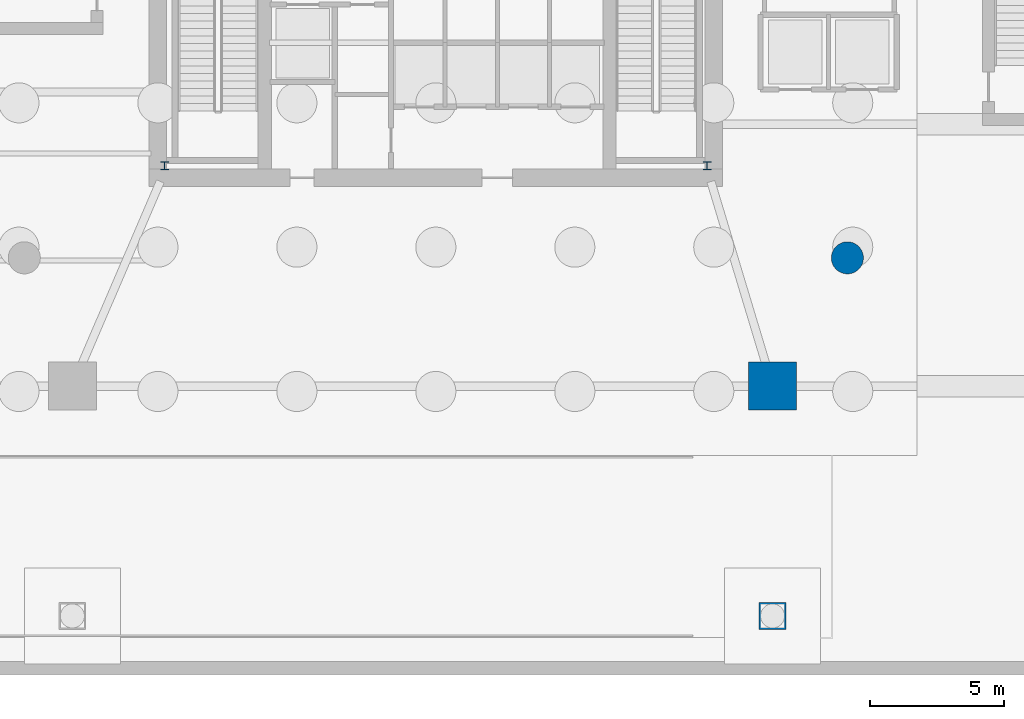
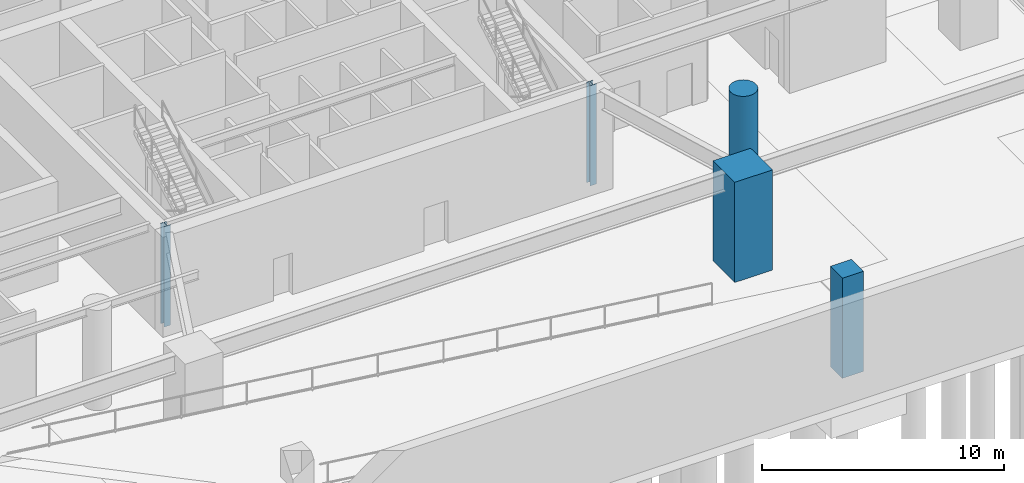
# One storey, part 2 of 11: 5 columns.
"""IFC4 building model written with IfcOpenShell, lengths in metres."""

from ifc_helpers import new_model, si_unit, direction, frame, origin, origin_2d, place, context, subcontext, project, spatial, rectangle, circle, i_section, extrude, material, material_profile, profile_set, type_object, element, save


model = new_model("IFC4")

# Units and contexts
model_context = context("Model", 3, precision=1e-05, world=origin(), true_north=direction((0.0, 1.0)))
body_context = subcontext(model_context, "Body", "Model", "MODEL_VIEW")
ifc_project = project(units=[si_unit("LENGTHUNIT", "METRE"), si_unit("AREAUNIT", "SQUARE_METRE"), si_unit("VOLUMEUNIT", "CUBIC_METRE"), si_unit("PLANEANGLEUNIT", "RADIAN"), si_unit("MASSUNIT", "GRAM", prefix="KILO")], contexts=[model_context])

# Site, building, storey
site_placement = place(None, origin())
site = spatial("IfcSite", under=ifc_project, at=site_placement, CompositionType="ELEMENT")
building_placement = place(site_placement, origin())
building = spatial("IfcBuilding", under=site, at=building_placement, Name="Qarnah Convention Tower", CompositionType="ELEMENT")
storey_placement = place(building_placement, frame((0.0, 0.0, -5.39990234375)))
storey = spatial("IfcBuildingStorey", under=building, at=storey_placement, Name="B1", CompositionType="ELEMENT", Elevation=-5.39990234375)

# Columns
ifc_material_1 = material(Name="Concrete C60/75", Category="concrete")
ifc_material_profile_1 = material_profile(ifc_material_1, circle(Radius=0.60009765625, at=origin_2d()), Name="RC-COL-D1200")
ifc_profile_set_1 = profile_set([ifc_material_profile_1], Name="Concrete C60/75")
column_type_1 = type_object("IfcColumnType", Name="COL-B1-D1200", PredefinedType="COLUMN", material=ifc_profile_set_1)
column_1_placement = place(storey_placement, frame((52.60009765625, 15.60009765625, 0.0), z_axis=(0.0, 0.0, 1.0), x_axis=(1.0, 0.0, 0.0)))
element("IfcColumn", 1, at=column_1_placement, inside=storey, type_object=column_type_1, Name="Basement garage column 02", PredefinedType="COLUMN", context=body_context, shape_type="SweptSolid", body=[
    extrude(circle(Radius=0.60009765625, at=origin_2d()), origin(), (0.0, 0.0, 1.0), 5.0498046875),
])
ifc_material_profile_2 = material_profile(ifc_material_1, rectangle(XDim=1.800048828125, YDim=1.800048828125, at=origin_2d()), Name="RC-COL-1800X1800")
ifc_profile_set_2 = profile_set([ifc_material_profile_2], Name="Concrete C60/75")
column_type_2 = type_object("IfcColumnType", Name="COL-MC1800", PredefinedType="COLUMN", material=ifc_profile_set_2)
column_2_placement = place(storey_placement, frame((49.800048828125, 10.800048828125, 0.0), z_axis=(0.0, 0.0, 1.0), x_axis=(1.0, 0.0, 0.0)))
element("IfcColumn", 2, at=column_2_placement, inside=storey, type_object=column_type_2, Name="B1 plumb column MC-03", PredefinedType="COLUMN", context=body_context, shape_type="SweptSolid", body=[
    extrude(rectangle(XDim=1.800048828125, YDim=1.800048828125, at=origin_2d()), origin(), (0.0, 0.0, 1.0), 5.0498046875),
])
ifc_material_profile_3 = material_profile(ifc_material_1, rectangle(XDim=1.0, YDim=1.0, at=origin_2d()), Name="RC-COL-1000X1000")
ifc_profile_set_3 = profile_set([ifc_material_profile_3], Name="Concrete C60/75")
column_type_3 = type_object("IfcColumnType", Name="COL-Z3-1000", PredefinedType="COLUMN", material=ifc_profile_set_3)
column_3_placement = place(storey_placement, frame((49.800048828125, 2.199951171875, 0.0), z_axis=(0.0, 0.0, 1.0), x_axis=(1.0, 0.0, 0.0)))
element("IfcColumn", 3, at=column_3_placement, inside=storey, type_object=column_type_3, Name="B1 south terrace support column 02", PredefinedType="COLUMN", context=body_context, shape_type="SweptSolid", body=[
    extrude(rectangle(XDim=1.0, YDim=1.0, at=origin_2d()), origin(), (0.0, 0.0, 1.0), 5.0498046875),
])
ifc_material_2 = material(Name="Structural steel S355JR", Category="steel")
ifc_material_profile_4 = material_profile(ifc_material_2, i_section(OverallWidth=0.300048828125, OverallDepth=0.300048828125, WebThickness=0.010986328125, FlangeThickness=0.01904296875, at=origin_2d()), Name="HEB300")
ifc_profile_set_4 = profile_set([ifc_material_profile_4], Name="Structural steel S355JR")
column_type_4 = type_object("IfcColumnType", Name="PIL-SHF-300", PredefinedType="PILASTER", material=ifc_profile_set_4)
for number, where, z_axis, x_axis, name in (
    (4, (27.050048828125, 19.050048828125, 0.0), (0.0, 0.0, 1.0), (1.0, 0.0, 0.0), "B1 core spine steel pilaster 1"),
    (5, (47.35009765625, 19.050048828125, 0.0), (0.0, 0.0, 1.0), (1.0, 0.0, 0.0), "B1 core spine steel pilaster 2"),
):
    element("IfcColumn", number, at=place(storey_placement, frame(where, z_axis=z_axis, x_axis=x_axis)), inside=storey, type_object=column_type_4, Name=name, PredefinedType="PILASTER", context=body_context, shape_type="SweptSolid", body=[
        extrude(i_section(OverallWidth=0.300048828125, OverallDepth=0.300048828125, WebThickness=0.010986328125, FlangeThickness=0.01904296875, at=origin_2d()), origin(), (0.0, 0.0, 1.0), 5.0498046875),
    ])

save(model, "model.ifc")
